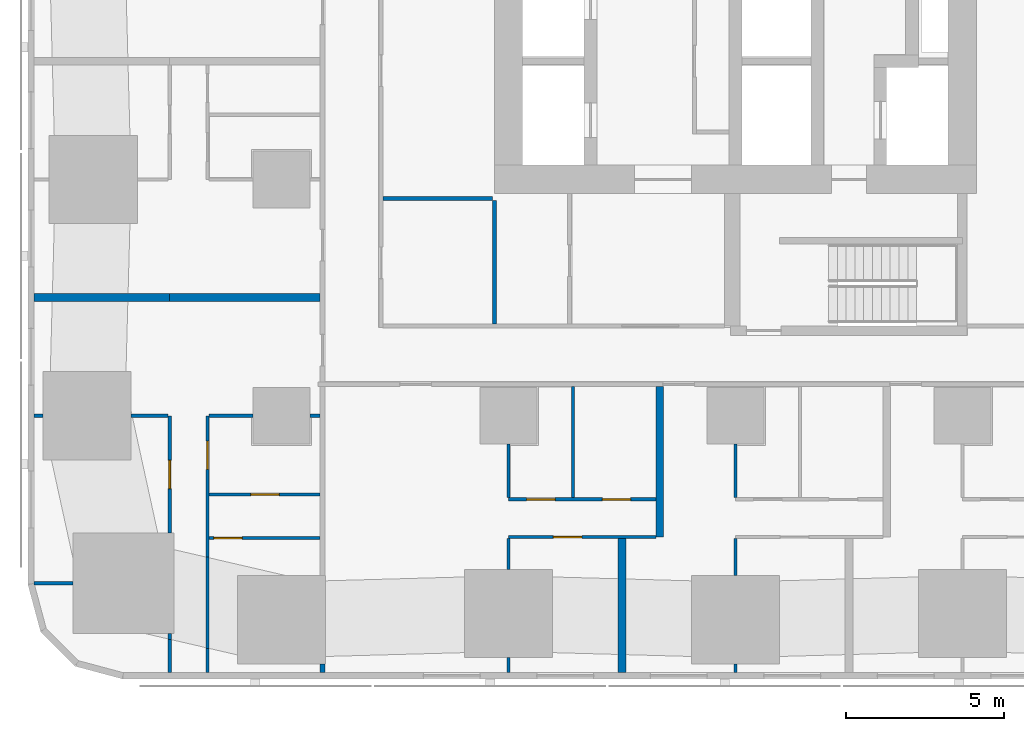
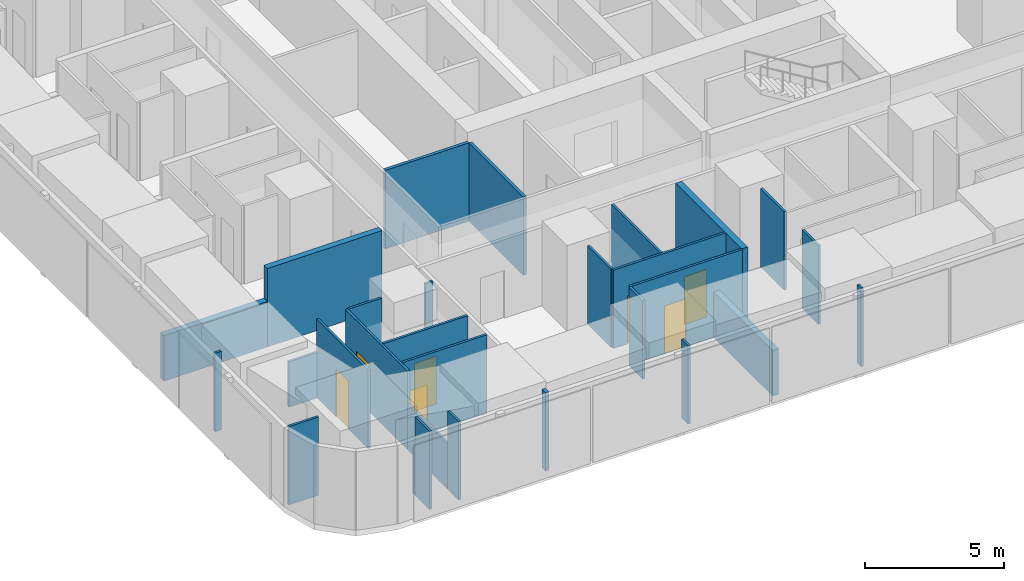
# One storey, part 2 of 15: 29 walls, 7 doors, 7 openings.
"""IFC4 building model written with IfcOpenShell, lengths in metres."""

from ifc_helpers import new_model, si_unit, direction, frame, frame_2d, origin, place, context, subcontext, project, spatial, rectangle, extrude, material, layer, layer_set, type_object, element, fill, save


model = new_model("IFC4")

# Units and contexts
model_context = context("Model", 3, precision=1e-05, world=origin(), true_north=direction((0.0, 1.0)))
body_context = subcontext(model_context, "Body", "Model", "MODEL_VIEW")
ifc_project = project(units=[si_unit("LENGTHUNIT", "METRE"), si_unit("AREAUNIT", "SQUARE_METRE"), si_unit("VOLUMEUNIT", "CUBIC_METRE"), si_unit("PLANEANGLEUNIT", "RADIAN"), si_unit("MASSUNIT", "GRAM", prefix="KILO")], contexts=[model_context])

# Site, building, storey
site_placement = place(None, origin())
site = spatial("IfcSite", under=ifc_project, at=site_placement, CompositionType="ELEMENT")
building_placement = place(site_placement, origin())
building = spatial("IfcBuilding", under=site, at=building_placement, Name="Sheger Commons Tower", CompositionType="ELEMENT")
storey_placement = place(building_placement, frame((0.0, 0.0, 68.75)))
storey = spatial("IfcBuildingStorey", under=building, at=storey_placement, Name="L17", CompositionType="ELEMENT", Elevation=68.75)

# Walls
ifc_material_1 = material(Name="Hollow concrete block masonry, skimmed both sides", Category="masonry")
ifc_layer_1 = layer(ifc_material_1, 0.14990234375)
ifc_layer_set_1 = layer_set([ifc_layer_1], Name="CORRIDOR WALL 150")
wall_type_1 = type_object("IfcWallType", Name="CORRIDOR WALL 150", PredefinedType="SOLIDWALL", material=ifc_layer_set_1)
wall_1_placement = place(storey_placement, frame((8.5, -0.64990234375, 0.0), z_axis=(0.0, 0.0, 1.0), x_axis=(0.0, 1.0, 0.0)))
element("IfcWall", 1, at=wall_1_placement, inside=storey, type_object=wall_type_1, Name="Corridor wall L17", PredefinedType="SOLIDWALL", context=body_context, shape_type="SweptSolid", body=[
    extrude(rectangle(XDim=0.27392578125, YDim=0.14990234375, at=frame_2d((0.136962890625, 0.0))), origin(), (0.0, 0.0, 1.0), 3.449951171875),
])
ifc_material_2 = material(Name="Dense concrete block masonry, plastered both sides (separating wall between flats)", Category="masonry")
ifc_layer_2 = layer(ifc_material_2, 0.25)
ifc_layer_set_2 = layer_set([ifc_layer_2], Name="DEMISING WALL 250")
wall_type_2 = type_object("IfcWallType", Name="DEMISING WALL 250", PredefinedType="SOLIDWALL", material=ifc_layer_set_2)
wall_2_placement = place(storey_placement, frame((-0.64990234375, 11.25, 0.0), z_axis=(0.0, 0.0, 1.0), x_axis=(1.0, 0.0, 0.0)))
element("IfcWall", 2, at=wall_2_placement, inside=storey, type_object=wall_type_2, Name="Demising wall L17", PredefinedType="SOLIDWALL", context=body_context, shape_type="SweptSolid", body=[
    extrude(rectangle(XDim=4.2998046875, YDim=0.25, at=frame_2d((2.14990234375, 0.0))), origin(), (0.0, 0.0, 1.0), 2.0),
])
wall_3_placement = place(storey_placement, frame((3.64990234375, 11.25, 0.0), z_axis=(0.0, 0.0, 1.0), x_axis=(1.0, 0.0, 0.0)))
element("IfcWall", 3, at=wall_3_placement, inside=storey, type_object=wall_type_2, Name="Demising wall L17", PredefinedType="SOLIDWALL", context=body_context, shape_type="SweptSolid", body=[
    extrude(rectangle(XDim=4.775146484375, YDim=0.25, at=frame_2d((2.3876953125, 0.0))), origin(), (0.0, 0.0, 1.0), 3.449951171875),
])
wall_4_placement = place(storey_placement, frame((18.0, -0.64990234375, 0.0), z_axis=(0.0, 0.0, 1.0), x_axis=(0.0, 1.0, 0.0)))
element("IfcWall", 4, at=wall_4_placement, inside=storey, type_object=wall_type_2, Name="Demising wall L17", PredefinedType="SOLIDWALL", context=body_context, shape_type="SweptSolid", body=[
    extrude(rectangle(XDim=4.25, YDim=0.25, at=frame_2d((2.125, 0.0))), origin(), (0.0, 0.0, 1.0), 2.0),
])
wall_5_placement = place(storey_placement, frame((19.198974609375, 3.64990234375, 0.0), z_axis=(0.0, 0.0, 1.0), x_axis=(0.0, 1.0, 0.0)))
element("IfcWall", 5, at=wall_5_placement, inside=storey, type_object=wall_type_2, Name="Demising wall L17", PredefinedType="SOLIDWALL", context=body_context, shape_type="SweptSolid", body=[
    extrude(rectangle(XDim=4.775146484375, YDim=0.25, at=frame_2d((2.3876953125, 0.0))), origin(), (0.0, 0.0, 1.0), 3.449951171875),
])
ifc_material_3 = material(Name="Gypsum board on steel studs", Category="steel")
ifc_layer_3 = layer(ifc_material_3, 0.10009765625)
ifc_layer_set_3 = layer_set([ifc_layer_3], Name="PARTITION 100")
wall_type_3 = type_object("IfcWallType", Name="PARTITION 100", PredefinedType="PARTITIONING", material=ifc_layer_set_3)
wall_6_placement = place(storey_placement, frame((3.64990234375, -0.64990234375, 0.0), z_axis=(0.0, 0.0, 1.0), x_axis=(0.0, 1.0, 0.0)))
element("IfcWall", 6, at=wall_6_placement, inside=storey, type_object=wall_type_3, Name="Partition L17", PredefinedType="PARTITIONING", context=body_context, shape_type="SweptSolid", body=[
    extrude(rectangle(XDim=1.0478515625, YDim=0.10009765625, at=frame_2d((0.52392578125, 0.0))), origin(), (0.0, 0.0, 1.0), 3.449951171875),
])
wall_7_placement = place(storey_placement, frame((3.64990234375, 0.39794921875, 0.0), z_axis=(0.0, 0.0, 1.0), x_axis=(0.0, 1.0, 0.0)))
element("IfcWall", 7, at=wall_7_placement, inside=storey, type_object=wall_type_3, Name="Partition L17", PredefinedType="PARTITIONING", context=body_context, shape_type="SweptSolid", body=[
    extrude(rectangle(XDim=0.18701171875, YDim=0.10009765625, at=frame_2d((0.093505859375, 0.0))), origin(), (0.0, 0.0, 1.0), 2.0),
])

# Wall, opening, door
wall_8_placement = place(storey_placement, frame((3.64990234375, 3.787109375, 0.0), z_axis=(0.0, 0.0, 1.0), x_axis=(0.0, 1.0, 0.0)))
wall_8 = element("IfcWall", 8, at=wall_8_placement, inside=storey, type_object=wall_type_3, Name="Partition L17", PredefinedType="PARTITIONING", context=body_context, shape_type="SweptSolid", body=[
    extrude(rectangle(XDim=3.712890625, YDim=0.10009765625, at=frame_2d((1.8564453125, 0.0))), origin(), (0.0, 0.0, 1.0), 3.449951171875),
])
opening_1_placement = place(wall_8_placement, frame((1.39990234375, 0.0, 0.0)))
opening_1 = element("IfcOpeningElement", 9, at=opening_1_placement, cuts=wall_8, Name="Opening D2", PredefinedType="OPENING", context=body_context, shape_type="SweptSolid", body=[
    extrude(rectangle(XDim=0.89990234375, YDim=2.10009765625, at=frame_2d((0.449951171875, 1.050048828125))), frame((0.0, 0.06005859375, 0.0), z_axis=(0.0, -1.0, 0.0), x_axis=(1.0, 0.0, 0.0)), (0.0, 0.0, 1.0), 0.1201171875),
])
ifc_material_4 = material(Name="Timber door set", Category="wood")
door_type = type_object("IfcDoorType", Name="INTERNAL DOOR 900x2100", OperationType="NOTDEFINED", PredefinedType="DOOR", material=ifc_material_4)
door_1_placement = place(opening_1_placement, origin())
door_1 = element("IfcDoor", 10, at=door_1_placement, inside=storey, type_object=door_type, Name="Main bedroom door", OperationType="SINGLE_SWING_RIGHT", OverallHeight=2.10009765625, OverallWidth=0.89990234375, PredefinedType="DOOR", context=body_context, shape_type="SweptSolid", body=[
    extrude(rectangle(XDim=0.89990234375, YDim=2.10009765625, at=frame_2d((0.449951171875, 1.050048828125))), frame((0.0, 0.02490234375, 0.0), z_axis=(0.0, -1.0, 0.0), x_axis=(1.0, 0.0, 0.0)), (0.0, 0.0, 1.0), 0.050048828125),
])
fill(opening_1, door_1)

# Walls
wall_9_placement = place(storey_placement, frame((4.85009765625, -0.64990234375, 0.0), z_axis=(0.0, 0.0, 1.0), x_axis=(0.0, 1.0, 0.0)))
element("IfcWall", 11, at=wall_9_placement, inside=storey, type_object=wall_type_3, Name="Partition L17", PredefinedType="PARTITIONING", context=body_context, shape_type="SweptSolid", body=[
    extrude(rectangle(XDim=0.77099609375, YDim=0.10009765625, at=frame_2d((0.385498046875, 0.0))), origin(), (0.0, 0.0, 1.0), 3.449951171875),
])
wall_10_placement = place(storey_placement, frame((4.85009765625, 0.12109375, 0.0), z_axis=(0.0, 0.0, 1.0), x_axis=(0.0, 1.0, 0.0)))
element("IfcWall", 12, at=wall_10_placement, inside=storey, type_object=wall_type_3, Name="Partition L17", PredefinedType="PARTITIONING", context=body_context, shape_type="SweptSolid", body=[
    extrude(rectangle(XDim=2.89697265625, YDim=0.10009765625, at=frame_2d((1.448486328125, 0.0))), origin(), (0.0, 0.0, 1.0), 2.0),
])

# Wall, opening, door
wall_11_placement = place(storey_placement, frame((4.85009765625, 3.01806640625, 0.0), z_axis=(0.0, 0.0, 1.0), x_axis=(0.0, 1.0, 0.0)))
wall_11 = element("IfcWall", 13, at=wall_11_placement, inside=storey, type_object=wall_type_3, Name="Partition L17", PredefinedType="PARTITIONING", context=body_context, shape_type="SweptSolid", body=[
    extrude(rectangle(XDim=4.48193359375, YDim=0.10009765625, at=frame_2d((2.240966796875, 0.0))), origin(), (0.0, 0.0, 1.0), 3.449951171875),
])
opening_2_placement = place(wall_11_placement, frame((2.781005859375, 0.0, 0.0)))
opening_2 = element("IfcOpeningElement", 14, at=opening_2_placement, cuts=wall_11, Name="Opening D2", PredefinedType="OPENING", context=body_context, shape_type="SweptSolid", body=[
    extrude(rectangle(XDim=0.89990234375, YDim=2.10009765625, at=frame_2d((0.449951171875, 1.050048828125))), frame((0.0, 0.06005859375, 0.0), z_axis=(0.0, -1.0, 0.0), x_axis=(1.0, 0.0, 0.0)), (0.0, 0.0, 1.0), 0.1201171875),
])
door_2_placement = place(opening_2_placement, origin())
door_2 = element("IfcDoor", 15, at=door_2_placement, inside=storey, type_object=door_type, Name="Bathroom door", OperationType="SINGLE_SWING_LEFT", OverallHeight=2.10009765625, OverallWidth=0.89990234375, PredefinedType="DOOR", context=body_context, shape_type="SweptSolid", body=[
    extrude(rectangle(XDim=0.89990234375, YDim=2.10009765625, at=frame_2d((0.449951171875, 1.050048828125))), frame((0.0, 0.02490234375, 0.0), z_axis=(0.0, -1.0, 0.0), x_axis=(1.0, 0.0, 0.0)), (0.0, 0.0, 1.0), 0.050048828125),
])
fill(opening_2, door_2)

# Walls
wall_12_placement = place(storey_placement, frame((-0.64990234375, 2.18603515625, 0.0), z_axis=(0.0, 0.0, 1.0), x_axis=(1.0, 0.0, 0.0)))
element("IfcWall", 16, at=wall_12_placement, inside=storey, type_object=wall_type_3, Name="Partition L17", PredefinedType="PARTITIONING", context=body_context, shape_type="SweptSolid", body=[
    extrude(rectangle(XDim=1.23486328125, YDim=0.10009765625, at=frame_2d((0.617431640625, 0.0))), origin(), (0.0, 0.0, 1.0), 3.449951171875),
])
wall_13_placement = place(storey_placement, frame((-0.64990234375, 7.5, 0.0), z_axis=(0.0, 0.0, 1.0), x_axis=(1.0, 0.0, 0.0)))
element("IfcWall", 17, at=wall_13_placement, inside=storey, type_object=wall_type_3, Name="Partition L17", PredefinedType="PARTITIONING", context=body_context, shape_type="SweptSolid", body=[
    extrude(rectangle(XDim=0.27392578125, YDim=0.10009765625, at=frame_2d((0.136962890625, 0.0))), origin(), (0.0, 0.0, 1.0), 3.449951171875),
])
wall_14_placement = place(storey_placement, frame((2.426025390625, 7.5, 0.0), z_axis=(0.0, 0.0, 1.0), x_axis=(1.0, 0.0, 0.0)))
element("IfcWall", 18, at=wall_14_placement, inside=storey, type_object=wall_type_3, Name="Partition L17", PredefinedType="PARTITIONING", context=body_context, shape_type="SweptSolid", body=[
    extrude(rectangle(XDim=1.174072265625, YDim=0.10009765625, at=frame_2d((0.5869140625, 0.0))), origin(), (0.0, 0.0, 1.0), 2.0),
])

# Wall, opening, door
wall_15_placement = place(storey_placement, frame((4.89990234375, 4.9990234375, 0.0), z_axis=(0.0, 0.0, 1.0), x_axis=(1.0, 0.0, 0.0)))
wall_15 = element("IfcWall", 19, at=wall_15_placement, inside=storey, type_object=wall_type_3, Name="Partition L17", PredefinedType="PARTITIONING", context=body_context, shape_type="SweptSolid", body=[
    extrude(rectangle(XDim=3.525146484375, YDim=0.10009765625, at=frame_2d((1.7626953125, 0.0))), origin(), (0.0, 0.0, 1.0), 3.449951171875),
])
opening_3_placement = place(wall_15_placement, frame((1.324951171875, 0.0, 0.0)))
opening_3 = element("IfcOpeningElement", 20, at=opening_3_placement, cuts=wall_15, Name="Opening D2", PredefinedType="OPENING", context=body_context, shape_type="SweptSolid", body=[
    extrude(rectangle(XDim=0.89990234375, YDim=2.10009765625, at=frame_2d((0.449951171875, 1.050048828125))), frame((0.0, 0.06005859375, 0.0), z_axis=(0.0, -1.0, 0.0), x_axis=(1.0, 0.0, 0.0)), (0.0, 0.0, 1.0), 0.1201171875),
])
door_3_placement = place(opening_3_placement, origin())
door_3 = element("IfcDoor", 21, at=door_3_placement, inside=storey, type_object=door_type, Name="Store door", OperationType="SINGLE_SWING_LEFT", OverallHeight=2.10009765625, OverallWidth=0.89990234375, PredefinedType="DOOR", context=body_context, shape_type="SweptSolid", body=[
    extrude(rectangle(XDim=0.89990234375, YDim=2.10009765625, at=frame_2d((0.449951171875, 1.050048828125))), frame((0.0, 0.02490234375, 0.0), z_axis=(0.0, -1.0, 0.0), x_axis=(1.0, 0.0, 0.0)), (0.0, 0.0, 1.0), 0.050048828125),
])
fill(opening_3, door_3)

# Walls
wall_16_placement = place(storey_placement, frame((4.89990234375, 7.5, 0.0), z_axis=(0.0, 0.0, 1.0), x_axis=(1.0, 0.0, 0.0)))
element("IfcWall", 22, at=wall_16_placement, inside=storey, type_object=wall_type_3, Name="Partition L17", PredefinedType="PARTITIONING", context=body_context, shape_type="SweptSolid", body=[
    extrude(rectangle(XDim=1.399169921875, YDim=0.10009765625, at=frame_2d((0.69970703125, 0.0))), origin(), (0.0, 0.0, 1.0), 3.449951171875),
])
wall_17_placement = place(storey_placement, frame((8.10107421875, 7.5, 0.0), z_axis=(0.0, 0.0, 1.0), x_axis=(1.0, 0.0, 0.0)))
element("IfcWall", 23, at=wall_17_placement, inside=storey, type_object=wall_type_3, Name="Partition L17", PredefinedType="PARTITIONING", context=body_context, shape_type="SweptSolid", body=[
    extrude(rectangle(XDim=0.323974609375, YDim=0.10009765625, at=frame_2d((0.162109375, 0.0))), origin(), (0.0, 0.0, 1.0), 3.449951171875),
])

# Wall, opening, door
wall_18_placement = place(storey_placement, frame((19.073974609375, 3.64990234375, 0.0), z_axis=(0.0, 0.0, 1.0), x_axis=(-1.0, 0.0, 0.0)))
wall_18 = element("IfcWall", 24, at=wall_18_placement, inside=storey, type_object=wall_type_3, Name="Partition L17", PredefinedType="PARTITIONING", context=body_context, shape_type="SweptSolid", body=[
    extrude(rectangle(XDim=4.674072265625, YDim=0.10009765625, at=frame_2d((2.3369140625, 0.0))), origin(), (0.0, 0.0, 1.0), 3.449951171875),
])
opening_4_placement = place(wall_18_placement, frame((2.35009765625, 0.0, 0.0)))
opening_4 = element("IfcOpeningElement", 25, at=opening_4_placement, cuts=wall_18, Name="Opening D2", PredefinedType="OPENING", context=body_context, shape_type="SweptSolid", body=[
    extrude(rectangle(XDim=0.89990234375, YDim=2.10009765625, at=frame_2d((0.449951171875, 1.050048828125))), frame((0.0, 0.06005859375, 0.0), z_axis=(0.0, -1.0, 0.0), x_axis=(1.0, 0.0, 0.0)), (0.0, 0.0, 1.0), 0.1201171875),
])
door_4_placement = place(opening_4_placement, origin())
door_4 = element("IfcDoor", 26, at=door_4_placement, inside=storey, type_object=door_type, Name="Main bedroom door", OperationType="SINGLE_SWING_RIGHT", OverallHeight=2.10009765625, OverallWidth=0.89990234375, PredefinedType="DOOR", context=body_context, shape_type="SweptSolid", body=[
    extrude(rectangle(XDim=0.89990234375, YDim=2.10009765625, at=frame_2d((0.449951171875, 1.050048828125))), frame((0.0, 0.02490234375, 0.0), z_axis=(0.0, -1.0, 0.0), x_axis=(1.0, 0.0, 0.0)), (0.0, 0.0, 1.0), 0.050048828125),
])
fill(opening_4, door_4)

# Wall, openings, doors
wall_19_placement = place(storey_placement, frame((19.073974609375, 4.85009765625, 0.0), z_axis=(0.0, 0.0, 1.0), x_axis=(-1.0, 0.0, 0.0)))
wall_19 = element("IfcWall", 27, at=wall_19_placement, inside=storey, type_object=wall_type_3, Name="Partition L17", PredefinedType="PARTITIONING", context=body_context, shape_type="SweptSolid", body=[
    extrude(rectangle(XDim=4.674072265625, YDim=0.10009765625, at=frame_2d((2.3369140625, 0.0))), origin(), (0.0, 0.0, 1.0), 3.449951171875),
])
opening_5_placement = place(wall_19_placement, frame((3.198974609375, 0.0, 0.0)))
opening_5 = element("IfcOpeningElement", 28, at=opening_5_placement, cuts=wall_19, Name="Opening D2", PredefinedType="OPENING", context=body_context, shape_type="SweptSolid", body=[
    extrude(rectangle(XDim=0.89990234375, YDim=2.10009765625, at=frame_2d((0.449951171875, 1.050048828125))), frame((0.0, 0.06005859375, 0.0), z_axis=(0.0, -1.0, 0.0), x_axis=(1.0, 0.0, 0.0)), (0.0, 0.0, 1.0), 0.1201171875),
])
opening_6_placement = place(wall_19_placement, frame((0.799072265625, 0.0, 0.0)))
opening_6 = element("IfcOpeningElement", 29, at=opening_6_placement, cuts=wall_19, Name="Opening D2", PredefinedType="OPENING", context=body_context, shape_type="SweptSolid", body=[
    extrude(rectangle(XDim=0.89990234375, YDim=2.10009765625, at=frame_2d((0.449951171875, 1.050048828125))), frame((0.0, 0.06005859375, 0.0), z_axis=(0.0, -1.0, 0.0), x_axis=(1.0, 0.0, 0.0)), (0.0, 0.0, 1.0), 0.1201171875),
])
door_5_placement = place(opening_5_placement, origin())
door_5 = element("IfcDoor", 30, at=door_5_placement, inside=storey, type_object=door_type, Name="Bathroom door", OperationType="SINGLE_SWING_LEFT", OverallHeight=2.10009765625, OverallWidth=0.89990234375, PredefinedType="DOOR", context=body_context, shape_type="SweptSolid", body=[
    extrude(rectangle(XDim=0.89990234375, YDim=2.10009765625, at=frame_2d((0.449951171875, 1.050048828125))), frame((0.0, 0.02490234375, 0.0), z_axis=(0.0, -1.0, 0.0), x_axis=(1.0, 0.0, 0.0)), (0.0, 0.0, 1.0), 0.050048828125),
])
fill(opening_5, door_5)
door_6_placement = place(opening_6_placement, origin())
door_6 = element("IfcDoor", 31, at=door_6_placement, inside=storey, type_object=door_type, Name="Store door", OperationType="SINGLE_SWING_RIGHT", OverallHeight=2.10009765625, OverallWidth=0.89990234375, PredefinedType="DOOR", context=body_context, shape_type="SweptSolid", body=[
    extrude(rectangle(XDim=0.89990234375, YDim=2.10009765625, at=frame_2d((0.449951171875, 1.050048828125))), frame((0.0, 0.02490234375, 0.0), z_axis=(0.0, -1.0, 0.0), x_axis=(1.0, 0.0, 0.0)), (0.0, 0.0, 1.0), 0.050048828125),
])
fill(opening_6, door_6)

# Walls
wall_20_placement = place(storey_placement, frame((14.39990234375, -0.64990234375, 0.0), z_axis=(0.0, 0.0, 1.0), x_axis=(0.0, 1.0, 0.0)))
element("IfcWall", 32, at=wall_20_placement, inside=storey, type_object=wall_type_3, Name="Partition L17", PredefinedType="PARTITIONING", context=body_context, shape_type="SweptSolid", body=[
    extrude(rectangle(XDim=0.473876953125, YDim=0.10009765625, at=frame_2d((0.23681640625, 0.0))), origin(), (0.0, 0.0, 1.0), 3.449951171875),
])
wall_21_placement = place(storey_placement, frame((14.39990234375, 2.6259765625, 0.0), z_axis=(0.0, 0.0, 1.0), x_axis=(0.0, 1.0, 0.0)))
element("IfcWall", 33, at=wall_21_placement, inside=storey, type_object=wall_type_3, Name="Partition L17", PredefinedType="PARTITIONING", context=body_context, shape_type="SweptSolid", body=[
    extrude(rectangle(XDim=0.97412109375, YDim=0.10009765625, at=frame_2d((0.487060546875, 0.0))), origin(), (0.0, 0.0, 1.0), 3.449951171875),
])
wall_22_placement = place(storey_placement, frame((14.39990234375, 4.89990234375, 0.0), z_axis=(0.0, 0.0, 1.0), x_axis=(0.0, 1.0, 0.0)))
element("IfcWall", 34, at=wall_22_placement, inside=storey, type_object=wall_type_3, Name="Partition L17", PredefinedType="PARTITIONING", context=body_context, shape_type="SweptSolid", body=[
    extrude(rectangle(XDim=1.69921875, YDim=0.10009765625, at=frame_2d((0.849609375, 0.0))), origin(), (0.0, 0.0, 1.0), 3.449951171875),
])
wall_23_placement = place(storey_placement, frame((16.449951171875, 4.89990234375, 0.0), z_axis=(0.0, 0.0, 1.0), x_axis=(0.0, 1.0, 0.0)))
element("IfcWall", 35, at=wall_23_placement, inside=storey, type_object=wall_type_3, Name="Partition L17", PredefinedType="PARTITIONING", context=body_context, shape_type="SweptSolid", body=[
    extrude(rectangle(XDim=3.525146484375, YDim=0.10009765625, at=frame_2d((1.7626953125, 0.0))), origin(), (0.0, 0.0, 1.0), 3.449951171875),
])
wall_24_placement = place(storey_placement, frame((21.60009765625, -0.64990234375, 0.0), z_axis=(0.0, 0.0, 1.0), x_axis=(0.0, 1.0, 0.0)))
element("IfcWall", 36, at=wall_24_placement, inside=storey, type_object=wall_type_3, Name="Partition L17", PredefinedType="PARTITIONING", context=body_context, shape_type="SweptSolid", body=[
    extrude(rectangle(XDim=0.27392578125, YDim=0.10009765625, at=frame_2d((0.136962890625, 0.0))), origin(), (0.0, 0.0, 1.0), 3.449951171875),
])
wall_25_placement = place(storey_placement, frame((21.60009765625, 2.426025390625, 0.0), z_axis=(0.0, 0.0, 1.0), x_axis=(0.0, 1.0, 0.0)))
element("IfcWall", 37, at=wall_25_placement, inside=storey, type_object=wall_type_3, Name="Partition L17", PredefinedType="PARTITIONING", context=body_context, shape_type="SweptSolid", body=[
    extrude(rectangle(XDim=1.174072265625, YDim=0.10009765625, at=frame_2d((0.5869140625, 0.0))), origin(), (0.0, 0.0, 1.0), 3.449951171875),
])
wall_26_placement = place(storey_placement, frame((21.60009765625, 4.89990234375, 0.0), z_axis=(0.0, 0.0, 1.0), x_axis=(0.0, 1.0, 0.0)))
element("IfcWall", 38, at=wall_26_placement, inside=storey, type_object=wall_type_3, Name="Partition L17", PredefinedType="PARTITIONING", context=body_context, shape_type="SweptSolid", body=[
    extrude(rectangle(XDim=1.69921875, YDim=0.10009765625, at=frame_2d((0.849609375, 0.0))), origin(), (0.0, 0.0, 1.0), 3.449951171875),
])

# Wall, opening, door
wall_27_placement = place(storey_placement, frame((4.89990234375, 3.618896484375, 0.0), z_axis=(0.0, 0.0, 1.0), x_axis=(1.0, 0.0, 0.0)))
wall_27 = element("IfcWall", 39, at=wall_27_placement, inside=storey, type_object=wall_type_3, Name="Partition L17", PredefinedType="PARTITIONING", context=body_context, shape_type="SweptSolid", body=[
    extrude(rectangle(XDim=3.525146484375, YDim=0.10009765625, at=frame_2d((1.7626953125, 0.0))), origin(), (0.0, 0.0, 1.0), 3.449951171875),
])
opening_7_placement = place(wall_27_placement, frame((0.14990234375, 0.0, 0.0)))
opening_7 = element("IfcOpeningElement", 40, at=opening_7_placement, cuts=wall_27, Name="Opening D2", PredefinedType="OPENING", context=body_context, shape_type="SweptSolid", body=[
    extrude(rectangle(XDim=0.89990234375, YDim=2.10009765625, at=frame_2d((0.449951171875, 1.050048828125))), frame((0.0, 0.06005859375, 0.0), z_axis=(0.0, -1.0, 0.0), x_axis=(1.0, 0.0, 0.0)), (0.0, 0.0, 1.0), 0.1201171875),
])
door_7_placement = place(opening_7_placement, origin())
door_7 = element("IfcDoor", 41, at=door_7_placement, inside=storey, type_object=door_type, Name="Store door", OperationType="SINGLE_SWING_LEFT", OverallHeight=2.10009765625, OverallWidth=0.89990234375, PredefinedType="DOOR", context=body_context, shape_type="SweptSolid", body=[
    extrude(rectangle(XDim=0.89990234375, YDim=2.10009765625, at=frame_2d((0.449951171875, 1.050048828125))), frame((0.0, 0.02490234375, 0.0), z_axis=(0.0, -1.0, 0.0), x_axis=(1.0, 0.0, 0.0)), (0.0, 0.0, 1.0), 0.050048828125),
])
fill(opening_7, door_7)

# Walls
ifc_material_5 = material(Name="Gypsum board on steel studs, two layers each side, fire rated", Category="steel")
ifc_layer_4 = layer(ifc_material_5, 0.125)
ifc_layer_set_4 = layer_set([ifc_layer_4], Name="SERVICE WALL 125")
wall_type_4 = type_object("IfcWallType", Name="SERVICE WALL 125", PredefinedType="PARTITIONING", material=ifc_layer_set_4)
wall_28_placement = place(storey_placement, frame((10.4130859375, 14.39990234375, 0.0), z_axis=(0.0, 0.0, 1.0), x_axis=(1.0, 0.0, 0.0)))
element("IfcWall", 42, at=wall_28_placement, inside=storey, type_object=wall_type_4, Name="Service room wall L17", PredefinedType="PARTITIONING", context=body_context, shape_type="SweptSolid", body=[
    extrude(rectangle(XDim=3.474853515625, YDim=0.125, at=frame_2d((1.7373046875, 0.0))), origin(), (0.0, 0.0, 1.0), 3.449951171875),
])
wall_29_placement = place(storey_placement, frame((13.949951171875, 10.4130859375, 0.0), z_axis=(0.0, 0.0, 1.0), x_axis=(0.0, 1.0, 0.0)))
element("IfcWall", 43, at=wall_29_placement, inside=storey, type_object=wall_type_4, Name="Service room wall L17", PredefinedType="PARTITIONING", context=body_context, shape_type="SweptSolid", body=[
    extrude(rectangle(XDim=3.9248046875, YDim=0.125, at=frame_2d((1.96240234375, 0.0))), origin(), (0.0, 0.0, 1.0), 3.449951171875),
])

save(model, "model.ifc")
